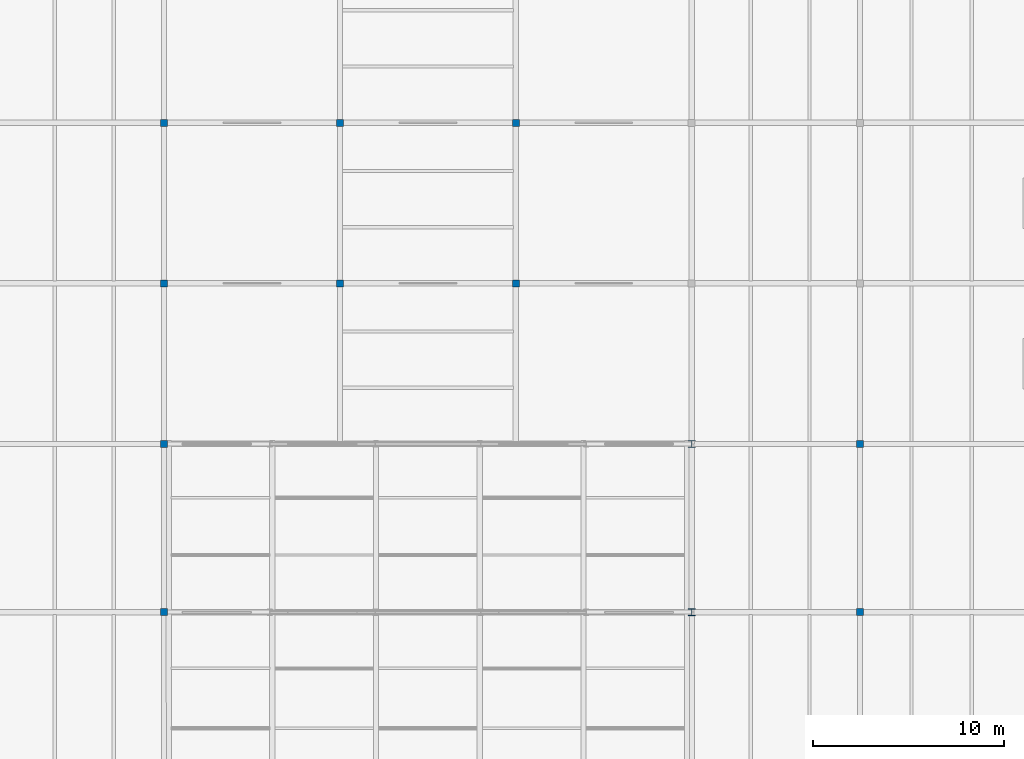
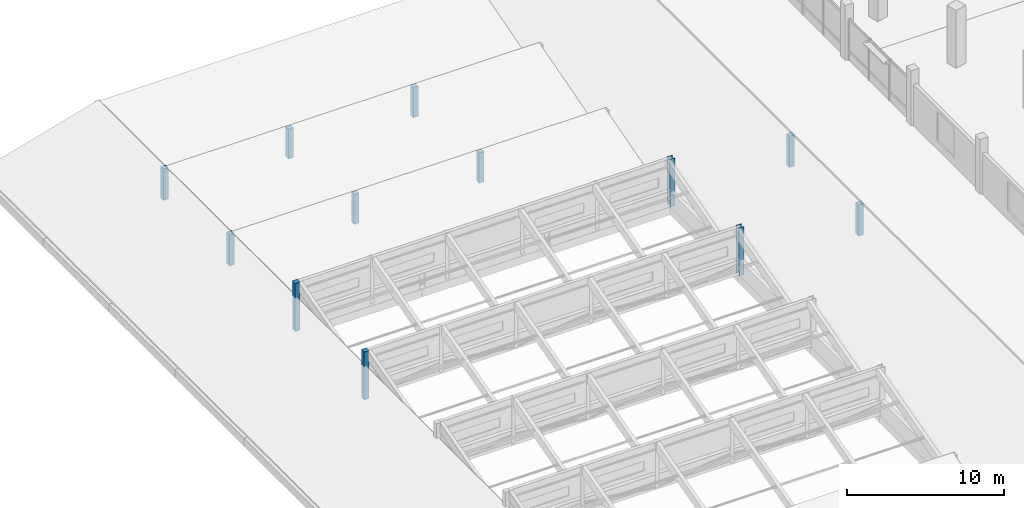
# One storey, part 3 of 77: 12 columns.
"""IFC4 building model written with IfcOpenShell, lengths in metres."""

from ifc_helpers import new_model, si_unit, direction, frame, origin, origin_2d, place, context, subcontext, project, spatial, rectangle, i_section, extrude, material, material_profile, profile_set, type_object, element, save


model = new_model("IFC4")

# Units and contexts
model_context = context("Model", 3, precision=1e-05, world=origin(), true_north=direction((0.0, 1.0)))
body_context = subcontext(model_context, "Body", "Model", "MODEL_VIEW")
ifc_project = project(units=[si_unit("LENGTHUNIT", "METRE"), si_unit("AREAUNIT", "SQUARE_METRE"), si_unit("VOLUMEUNIT", "CUBIC_METRE"), si_unit("PLANEANGLEUNIT", "RADIAN"), si_unit("MASSUNIT", "GRAM", prefix="KILO")], contexts=[model_context])

# Site, building, storey
site_placement = place(None, origin())
site = spatial("IfcSite", under=ifc_project, at=site_placement, CompositionType="ELEMENT")
building_placement = place(site_placement, origin())
building = spatial("IfcBuilding", under=site, at=building_placement, Name="Meriwether Solvik Hall", CompositionType="ELEMENT")
storey_placement = place(building_placement, frame((0.0, 0.0, 9.89990234375)))
storey = spatial("IfcBuildingStorey", under=building, at=storey_placement, Name="L02", CompositionType="ELEMENT", Elevation=9.89990234375)

# Columns
ifc_material_1 = material(Name="Glulam Douglas-Fir L2 GL28c", Category="wood")
ifc_material_profile_1 = material_profile(ifc_material_1, rectangle(XDim=0.364990234375, YDim=0.364990234375, at=origin_2d()), Name="GLC-365X365")
ifc_profile_set_1 = profile_set([ifc_material_profile_1], Name="Glulam Douglas-Fir L2 GL28c")
column_type_1 = type_object("IfcColumnType", Name="COL-GL-365X365", PredefinedType="COLUMN", material=ifc_profile_set_1)
for number, where, z_axis, x_axis, name in (
    (1, (14.0, 41.199951171875, 0.0), (0.0, 0.0, 1.0), (1.0, 0.0, 0.0), "Roof Ridge Post 2/E (L02)"),
    (2, (14.0, 50.0, 0.0), (0.0, 0.0, 1.0), (1.0, 0.0, 0.0), "Roof Ridge Post 2/F (L02)"),
):
    element("IfcColumn", number, at=place(storey_placement, frame(where, z_axis=z_axis, x_axis=x_axis)), inside=storey, type_object=column_type_1, Name=name, PredefinedType="COLUMN", context=body_context, shape_type="SweptSolid", body=[
        extrude(rectangle(XDim=0.364990234375, YDim=0.364990234375, at=origin_2d()), origin(), (0.0, 0.0, 1.0), 3.72509765625),
    ])
for number, where, z_axis, x_axis, name in (
    (3, (14.0, 58.39990234375, 0.0), (0.0, 0.0, 1.0), (1.0, 0.0, 0.0), "Roof Ridge Post 2/G (L02)"),
    (4, (14.0, 66.800048828125, 0.0), (0.0, 0.0, 1.0), (1.0, 0.0, 0.0), "Roof Ridge Post 2/H (L02)"),
):
    element("IfcColumn", number, at=place(storey_placement, frame(where, z_axis=z_axis, x_axis=x_axis)), inside=storey, type_object=column_type_1, Name=name, PredefinedType="COLUMN", context=body_context, shape_type="SweptSolid", body=[
        extrude(rectangle(XDim=0.364990234375, YDim=0.364990234375, at=origin_2d()), origin(), (0.0, 0.0, 1.0), 2.44091796875),
    ])
for number, where, z_axis, x_axis, name in (
    (5, (23.199951171875, 58.39990234375, 0.0), (0.0, 0.0, 1.0), (1.0, 0.0, 0.0), "Roof Ridge Post 3/G (L02)"),
    (6, (23.199951171875, 66.800048828125, 0.0), (0.0, 0.0, 1.0), (1.0, 0.0, 0.0), "Roof Ridge Post 3/H (L02)"),
    (7, (32.39990234375, 58.39990234375, 0.0), (0.0, 0.0, 1.0), (1.0, 0.0, 0.0), "Roof Ridge Post 4/G (L02)"),
    (8, (32.39990234375, 66.800048828125, 0.0), (0.0, 0.0, 1.0), (1.0, 0.0, 0.0), "Roof Ridge Post 4/H (L02)"),
):
    element("IfcColumn", number, at=place(storey_placement, frame(where, z_axis=z_axis, x_axis=x_axis)), inside=storey, type_object=column_type_1, Name=name, PredefinedType="COLUMN", context=body_context, shape_type="SweptSolid", body=[
        extrude(rectangle(XDim=0.364990234375, YDim=0.364990234375, at=origin_2d()), origin(), (0.0, 0.0, 1.0), 2.3408203125),
    ])
for number, where, z_axis, x_axis, name in (
    (9, (50.39990234375, 41.199951171875, 0.0), (0.0, 0.0, 1.0), (1.0, 0.0, 0.0), "Roof Ridge Post 6/E (L02)"),
    (10, (50.39990234375, 50.0, 0.0), (0.0, 0.0, 1.0), (1.0, 0.0, 0.0), "Roof Ridge Post 6/F (L02)"),
):
    element("IfcColumn", number, at=place(storey_placement, frame(where, z_axis=z_axis, x_axis=x_axis)), inside=storey, type_object=column_type_1, Name=name, PredefinedType="COLUMN", context=body_context, shape_type="SweptSolid", body=[
        extrude(rectangle(XDim=0.364990234375, YDim=0.364990234375, at=origin_2d()), origin(), (0.0, 0.0, 1.0), 2.441162109375),
    ])
ifc_material_2 = material(Name="Steel A992 Grade 50", Category="steel")
ifc_material_profile_2 = material_profile(ifc_material_2, i_section(OverallWidth=0.368896484375, OverallDepth=0.35595703125, WebThickness=0.01123046875, FlangeThickness=0.01806640625, at=origin_2d()), Name="W14X90")
ifc_profile_set_2 = profile_set([ifc_material_profile_2], Name="Steel A992 Grade 50")
column_type_2 = type_object("IfcColumnType", Name="COL-STL-W14X90", PredefinedType="COLUMN", material=ifc_profile_set_2)
for number, where, z_axis, x_axis, name in (
    (11, (41.60009765625, 41.199951171875, 0.0), (0.0, 0.0, 1.0), (1.0, 0.0, 0.0), "Sanctuary Truss End Post 5/E"),
    (12, (41.60009765625, 50.0, 0.0), (0.0, 0.0, 1.0), (1.0, 0.0, 0.0), "Sanctuary Truss End Post 5/F"),
):
    element("IfcColumn", number, at=place(storey_placement, frame(where, z_axis=z_axis, x_axis=x_axis)), inside=storey, type_object=column_type_2, Name=name, PredefinedType="COLUMN", context=body_context, shape_type="SweptSolid", body=[
        extrude(i_section(OverallWidth=0.368896484375, OverallDepth=0.35595703125, WebThickness=0.01123046875, FlangeThickness=0.01806640625, at=origin_2d()), origin(), (0.0, 0.0, 1.0), 3.72509765625),
    ])

save(model, "model.ifc")
